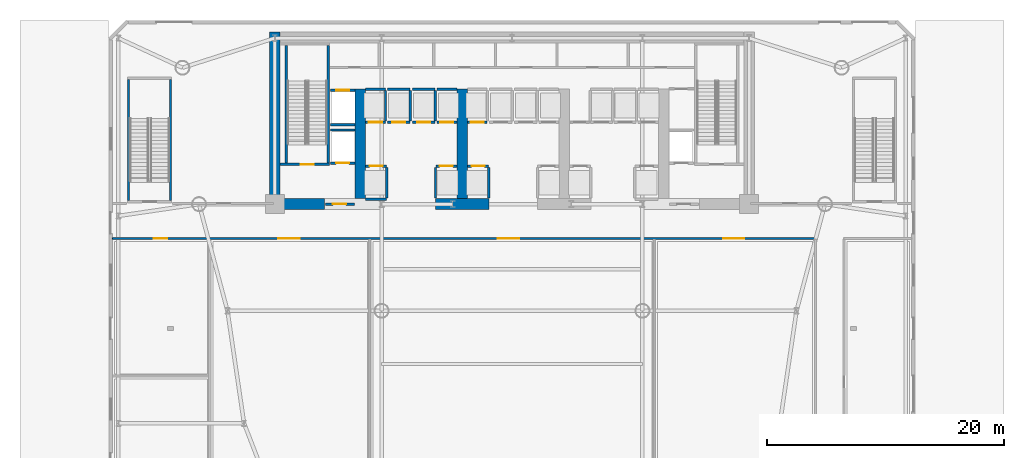
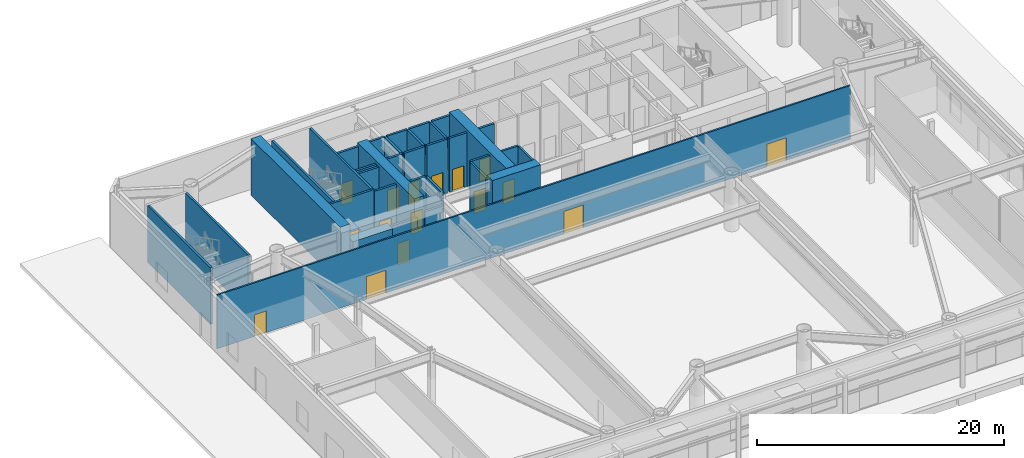
# One storey, part 8 of 20: 35 walls, 16 doors, 16 openings.
"""IFC4 building model written with IfcOpenShell, lengths in metres."""

from ifc_helpers import new_model, si_unit, direction, frame, frame_2d, origin, place, context, subcontext, project, spatial, rectangle, extrude, source, transform, mapped, material, layer, layer_set, type_object, element, fill, save


model = new_model("IFC4")

# Units and contexts
model_context = context("Model", 3, precision=1e-05, world=origin(), true_north=direction((0.0, 1.0)))
body_context = subcontext(model_context, "Body", "Model", "MODEL_VIEW")
ifc_project = project(units=[si_unit("LENGTHUNIT", "METRE"), si_unit("AREAUNIT", "SQUARE_METRE"), si_unit("VOLUMEUNIT", "CUBIC_METRE"), si_unit("PLANEANGLEUNIT", "RADIAN"), si_unit("MASSUNIT", "GRAM", prefix="KILO")], contexts=[model_context])

# Site, building, storey
site_placement = place(None, origin())
site = spatial("IfcSite", under=ifc_project, at=site_placement, CompositionType="ELEMENT")
building_placement = place(site_placement, origin())
building = spatial("IfcBuilding", under=site, at=building_placement, Name="Vaeldorn Concourse Tower", CompositionType="ELEMENT")
storey_placement = place(building_placement, origin())
storey = spatial("IfcBuildingStorey", under=building, at=storey_placement, Name="L00", CompositionType="ELEMENT", Elevation=0.0)

# Walls
ifc_material_1 = material(Name="Concrete C60/75", Category="concrete")
ifc_layer_1 = layer(ifc_material_1, 0.89990234375)
ifc_layer_set_1 = layer_set([ifc_layer_1], Name="Concrete C60/75")
wall_type_1 = type_object("IfcWallType", Name="WL-CORE-900", PredefinedType="SHEAR", material=ifc_layer_set_1)
wall_1_placement = place(storey_placement, frame((14.0, 36.5, 0.0), z_axis=(0.0, 0.0, 1.0), x_axis=(0.0, 1.0, 0.0)))
element("IfcWall", 1, at=wall_1_placement, inside=storey, type_object=wall_type_1, Name="Rear Core Shear Wall L00 W1", PredefinedType="SHEAR", context=body_context, shape_type="SweptSolid", body=[
    extrude(rectangle(XDim=14.5, YDim=0.89990234375, at=frame_2d((7.25, 0.0))), origin(), (0.0, 0.0, 1.0), 5.60009765625),
])
wall_2_placement = place(storey_placement, frame((14.469970703125, 36.5, 0.0), z_axis=(0.0, 0.0, 1.0), x_axis=(1.0, 0.0, 0.0)))
element("IfcWall", 2, at=wall_2_placement, inside=storey, type_object=wall_type_1, Name="Rear Core Shear Wall L00 S1", PredefinedType="SHEAR", context=body_context, shape_type="SweptSolid", body=[
    extrude(rectangle(XDim=3.72998046875, YDim=0.89990234375, at=frame_2d((1.864990234375, 0.0))), origin(), (0.0, 0.0, 1.0), 4.1201171875),
])
wall_3_placement = place(storey_placement, frame((27.550048828125, 36.5, 0.0), z_axis=(0.0, 0.0, 1.0), x_axis=(1.0, 0.0, 0.0)))
element("IfcWall", 3, at=wall_3_placement, inside=storey, type_object=wall_type_1, Name="Rear Core Shear Wall L00 S2", PredefinedType="SHEAR", context=body_context, shape_type="SweptSolid", body=[
    extrude(rectangle(XDim=4.5, YDim=0.89990234375, at=frame_2d((2.25, 0.0))), origin(), (0.0, 0.0, 1.0), 5.60009765625),
])
for number, where, z_axis, x_axis, name in (
    (4, (21.199951171875, 36.969970703125, 0.0), (0.0, 0.0, 1.0), (0.0, 1.0, 0.0), "Rear Core Shear Wall L00 M1"),
    (5, (29.800048828125, 36.969970703125, 0.0), (0.0, 0.0, 1.0), (0.0, 1.0, 0.0), "Rear Core Shear Wall L00 M2"),
):
    element("IfcWall", number, at=place(storey_placement, frame(where, z_axis=z_axis, x_axis=x_axis)), inside=storey, type_object=wall_type_1, Name=name, PredefinedType="SHEAR", context=body_context, shape_type="SweptSolid", body=[
        extrude(rectangle(XDim=9.22998046875, YDim=0.89990234375, at=frame_2d((4.614990234375, 0.0))), origin(), (0.0, 0.0, 1.0), 5.60009765625),
    ])

# Wall, openings, doors
ifc_material_2 = material(Name="Gypsum Board Partition", Category="gypsum")
ifc_layer_2 = layer(ifc_material_2, 0.14990234375)
ifc_layer_set_2 = layer_set([ifc_layer_2], Name="Gypsum Board Partition")
wall_type_2 = type_object("IfcWallType", Name="WL-PART-150", PredefinedType="PARTITIONING", material=ifc_layer_set_2)
wall_4_placement = place(storey_placement, frame((0.300048828125, 33.60009765625, 0.0), z_axis=(0.0, 0.0, 1.0), x_axis=(1.0, 0.0, 0.0)))
wall_4 = element("IfcWall", 6, at=wall_4_placement, inside=storey, type_object=wall_type_2, Name="Interior Wall PW-L00-COR", PredefinedType="PARTITIONING", context=body_context, shape_type="SweptSolid", body=[
    extrude(rectangle(XDim=59.300048828125, YDim=0.14990234375, at=frame_2d((29.64990234375, 0.0))), origin(), (0.0, 0.0, 1.0), 5.320068359375),
])
opening_1_placement = place(wall_4_placement, frame((3.5, 0.0, 0.0)))
opening_1 = element("IfcOpeningElement", 7, at=opening_1_placement, cuts=wall_4, Name="Opening D-01", PredefinedType="OPENING", context=body_context, shape_type="SweptSolid", body=[
    extrude(rectangle(XDim=1.10009765625, YDim=2.14990234375, at=frame_2d((0.550048828125, 1.074951171875))), frame((0.0, 0.0849609375, 0.0), z_axis=(0.0, -1.0, 0.0), x_axis=(1.0, 0.0, 0.0)), (0.0, 0.0, 1.0), 0.169921875),
])
opening_2_placement = place(wall_4_placement, frame((14.0, 0.0, 0.0)))
opening_2 = element("IfcOpeningElement", 8, at=opening_2_placement, cuts=wall_4, Name="Opening D-05", PredefinedType="OPENING", context=body_context, shape_type="SweptSolid", body=[
    extrude(rectangle(XDim=1.800048828125, YDim=2.25, at=frame_2d((0.89990234375, 1.125))), frame((0.0, 0.0849609375, 0.0), z_axis=(0.0, -1.0, 0.0), x_axis=(1.0, 0.0, 0.0)), (0.0, 0.0, 1.0), 0.169921875),
])
opening_3_placement = place(wall_4_placement, frame((32.5, 0.0, 0.0)))
opening_3 = element("IfcOpeningElement", 9, at=opening_3_placement, cuts=wall_4, Name="Opening D-05", PredefinedType="OPENING", context=body_context, shape_type="SweptSolid", body=[
    extrude(rectangle(XDim=1.800048828125, YDim=2.25, at=frame_2d((0.89990234375, 1.125))), frame((0.0, 0.0849609375, 0.0), z_axis=(0.0, -1.0, 0.0), x_axis=(1.0, 0.0, 0.0)), (0.0, 0.0, 1.0), 0.169921875),
])
opening_4_placement = place(wall_4_placement, frame((51.5, 0.0, 0.0)))
opening_4 = element("IfcOpeningElement", 10, at=opening_4_placement, cuts=wall_4, Name="Opening D-05", PredefinedType="OPENING", context=body_context, shape_type="SweptSolid", body=[
    extrude(rectangle(XDim=1.800048828125, YDim=2.25, at=frame_2d((0.89990234375, 1.125))), frame((0.0, 0.0849609375, 0.0), z_axis=(0.0, -1.0, 0.0), x_axis=(1.0, 0.0, 0.0)), (0.0, 0.0, 1.0), 0.169921875),
])
ifc_material_3 = material(Name="Fire-Rated Timber and Steel Leaf", Category="steel")
door_type_1 = type_object("IfcDoorType", Name="DR-FD60-1100", OperationType="NOTDEFINED", PredefinedType="DOOR", material=ifc_material_3)
shared_shape_1 = source(origin(), body_context, "Body", "SweptSolid", [
    extrude(rectangle(XDim=1.10009765625, YDim=2.14990234375, at=frame_2d((0.550048828125, 1.074951171875))), frame((0.0, 0.02490234375, 0.0), z_axis=(0.0, -1.0, 0.0), x_axis=(1.0, 0.0, 0.0)), (0.0, 0.0, 1.0), 0.050048828125),
])
door_1_placement = place(opening_1_placement, origin())
door_1 = element("IfcDoor", 11, at=door_1_placement, inside=storey, type_object=door_type_1, Name="Interior Door DR-L00-FCC", OperationType="SINGLE_SWING_LEFT", OverallHeight=2.14990234375, OverallWidth=1.10009765625, PredefinedType="DOOR", context=body_context, shape_type="MappedRepresentation", body=[
    mapped(shared_shape_1, transform((0.0, 0.0, 0.0), scale=1.0)),
])
fill(opening_1, door_1)
ifc_material_4 = material(Name="Acoustic Bronze-Framed Glass Door", Category="glass")
door_type_2 = type_object("IfcDoorType", Name="DR-DBL-1800", OperationType="DOUBLE_DOOR_SINGLE_SWING", PredefinedType="DOOR", material=ifc_material_4)
shared_shape_2 = source(origin(), body_context, "Body", "SweptSolid", [
    extrude(rectangle(XDim=1.800048828125, YDim=2.25, at=frame_2d((0.89990234375, 1.125))), frame((0.0, 0.02490234375, 0.0), z_axis=(0.0, -1.0, 0.0), x_axis=(1.0, 0.0, 0.0)), (0.0, 0.0, 1.0), 0.050048828125),
])
door_2_placement = place(opening_2_placement, origin())
door_2 = element("IfcDoor", 12, at=door_2_placement, inside=storey, type_object=door_type_2, Name="Interior Door DR-L00-TKT", OperationType="DOUBLE_DOOR_SINGLE_SWING", OverallHeight=2.25, OverallWidth=1.800048828125, PredefinedType="DOOR", context=body_context, shape_type="MappedRepresentation", body=[
    mapped(shared_shape_2, transform((0.0, 0.0, 0.0), scale=1.0)),
])
fill(opening_2, door_2)
door_3_placement = place(opening_3_placement, origin())
door_3 = element("IfcDoor", 13, at=door_3_placement, inside=storey, type_object=door_type_2, Name="Interior Door DR-L00-CONC", OperationType="DOUBLE_DOOR_SINGLE_SWING", OverallHeight=2.25, OverallWidth=1.800048828125, PredefinedType="DOOR", context=body_context, shape_type="MappedRepresentation", body=[
    mapped(shared_shape_2, transform((0.0, 0.0, 0.0), scale=1.0)),
])
fill(opening_3, door_3)
door_4_placement = place(opening_4_placement, origin())
door_4 = element("IfcDoor", 14, at=door_4_placement, inside=storey, type_object=door_type_2, Name="Interior Door DR-L00-LOB", OperationType="DOUBLE_DOOR_SINGLE_SWING", OverallHeight=2.25, OverallWidth=1.800048828125, PredefinedType="DOOR", context=body_context, shape_type="MappedRepresentation", body=[
    mapped(shared_shape_2, transform((0.0, 0.0, 0.0), scale=1.0)),
])
fill(opening_4, door_4)

# Wall, opening, door
ifc_material_5 = material(Name="Concrete C50/60", Category="concrete")
ifc_layer_3 = layer(ifc_material_5, 0.199951171875)
ifc_layer_set_3 = layer_set([ifc_layer_3], Name="Concrete C50/60")
wall_type_3 = type_object("IfcWallType", Name="WL-SHAFT-200", PredefinedType="SOLIDWALL", material=ifc_layer_set_3)
wall_5_placement = place(storey_placement, frame((14.449951171875, 39.85009765625, 0.0), z_axis=(0.0, 0.0, 1.0), x_axis=(1.0, 0.0, 0.0)))
wall_5 = element("IfcWall", 15, at=wall_5_placement, inside=storey, type_object=wall_type_3, Name="Stair Shaft Wall CW-L00-ST-1-S", PredefinedType="SOLIDWALL", context=body_context, shape_type="SweptSolid", body=[
    extrude(rectangle(XDim=4.150146484375, YDim=0.199951171875, at=frame_2d((2.0751953125, 0.0))), origin(), (0.0, 0.0, 1.0), 5.60009765625),
])
opening_5_placement = place(wall_5_placement, frame((1.72509765625, 0.0, 0.0)))
opening_5 = element("IfcOpeningElement", 16, at=opening_5_placement, cuts=wall_5, Name="Opening D-01", PredefinedType="OPENING", context=body_context, shape_type="SweptSolid", body=[
    extrude(rectangle(XDim=1.10009765625, YDim=2.14990234375, at=frame_2d((0.550048828125, 1.074951171875))), frame((0.0, 0.10986328125, 0.0), z_axis=(0.0, -1.0, 0.0), x_axis=(1.0, 0.0, 0.0)), (0.0, 0.0, 1.0), 0.219970703125),
])
door_5_placement = place(opening_5_placement, origin())
door_5 = element("IfcDoor", 17, at=door_5_placement, inside=storey, type_object=door_type_1, Name="Interior Door DR-L00-ST-1", OperationType="SINGLE_SWING_LEFT", OverallHeight=2.14990234375, OverallWidth=1.10009765625, PredefinedType="DOOR", context=body_context, shape_type="MappedRepresentation", body=[
    mapped(shared_shape_1, transform((0.0, 0.0, 0.0), scale=1.0)),
])
fill(opening_5, door_5)

# Walls
for number, where, z_axis, x_axis, name in (
    (18, (14.949951171875, 39.9599609375, 0.0), (0.0, 0.0, 1.0), (0.0, 1.0, 0.0), "Stair Shaft Wall CW-L00-ST-1-W"),
    (19, (18.5, 39.9599609375, 0.0), (0.0, 0.0, 1.0), (0.0, 1.0, 0.0), "Stair Shaft Wall CW-L00-ST-1-E"),
):
    element("IfcWall", number, at=place(storey_placement, frame(where, z_axis=z_axis, x_axis=x_axis)), inside=storey, type_object=wall_type_3, Name=name, PredefinedType="SOLIDWALL", context=body_context, shape_type="SweptSolid", body=[
        extrude(rectangle(XDim=9.929931640625, YDim=0.199951171875, at=frame_2d((4.96484375, 0.0))), origin(), (0.0, 0.0, 1.0), 5.60009765625),
    ])

# Wall, opening, door
wall_6_placement = place(storey_placement, frame((18.25, 36.5, 0.0), z_axis=(0.0, 0.0, 1.0), x_axis=(1.0, 0.0, 0.0)))
wall_6 = element("IfcWall", 20, at=wall_6_placement, inside=storey, type_object=wall_type_3, Name="Interior Wall CW-L00-FF1S", PredefinedType="SOLIDWALL", context=body_context, shape_type="SweptSolid", body=[
    extrude(rectangle(XDim=2.469970703125, YDim=0.199951171875, at=frame_2d((1.23486328125, 0.0))), origin(), (0.0, 0.0, 1.0), 4.110107421875),
])
opening_6_placement = place(wall_6_placement, frame((0.64990234375, 0.0, 0.0)))
opening_6 = element("IfcOpeningElement", 21, at=opening_6_placement, cuts=wall_6, Name="Opening D-01", PredefinedType="OPENING", context=body_context, shape_type="SweptSolid", body=[
    extrude(rectangle(XDim=1.10009765625, YDim=2.14990234375, at=frame_2d((0.550048828125, 1.074951171875))), frame((0.0, 0.10986328125, 0.0), z_axis=(0.0, -1.0, 0.0), x_axis=(1.0, 0.0, 0.0)), (0.0, 0.0, 1.0), 0.219970703125),
])
door_6_placement = place(opening_6_placement, origin())
door_6 = element("IfcDoor", 22, at=door_6_placement, inside=storey, type_object=door_type_1, Name="Interior Door DR-L00-FF1E", OperationType="SINGLE_SWING_RIGHT", OverallHeight=2.14990234375, OverallWidth=1.10009765625, PredefinedType="DOOR", context=body_context, shape_type="MappedRepresentation", body=[
    mapped(shared_shape_1, transform((0.0, 0.0, 0.0), scale=1.0)),
])
fill(opening_6, door_6)

wall_7_placement = place(storey_placement, frame((21.659912109375, 39.699951171875, 0.0), z_axis=(0.0, 0.0, 1.0), x_axis=(1.0, 0.0, 0.0)))
wall_7 = element("IfcWall", 23, at=wall_7_placement, inside=storey, type_object=wall_type_3, Name="Interior Wall CW-L00-LF-LF-01", PredefinedType="SOLIDWALL", context=body_context, shape_type="SweptSolid", body=[
    extrude(rectangle(XDim=1.77001953125, YDim=0.199951171875, at=frame_2d((0.885009765625, 0.0))), origin(), (0.0, 0.0, 1.0), 5.320068359375),
])
opening_7_placement = place(wall_7_placement, frame((0.3349609375, 0.0, 0.0)))
opening_7 = element("IfcOpeningElement", 24, at=opening_7_placement, cuts=wall_7, Name="Opening LD-1", PredefinedType="OPENING", context=body_context, shape_type="SweptSolid", body=[
    extrude(rectangle(XDim=1.10009765625, YDim=2.14990234375, at=frame_2d((0.550048828125, 1.074951171875))), frame((0.0, 0.10986328125, 0.0), z_axis=(0.0, -1.0, 0.0), x_axis=(1.0, 0.0, 0.0)), (0.0, 0.0, 1.0), 0.219970703125),
])
ifc_material_6 = material(Name="Anodised Bronze Aluminium", Category="aluminium")
door_type_3 = type_object("IfcDoorType", Name="DR-LIFT-SLIDE-1100", OperationType="DOUBLE_DOOR_SLIDING", PredefinedType="DOOR", material=ifc_material_6)
door_7_placement = place(opening_7_placement, origin())
door_7 = element("IfcDoor", 25, at=door_7_placement, inside=storey, type_object=door_type_3, Name="Lift Landing Door LD-L00-LF-01", OperationType="DOUBLE_DOOR_SLIDING", OverallHeight=2.14990234375, OverallWidth=1.10009765625, PredefinedType="DOOR", context=body_context, shape_type="MappedRepresentation", body=[
    mapped(shared_shape_1, transform((0.0, 0.0, 0.0), scale=1.0)),
])
fill(opening_7, door_7)

# Walls
wall_8_placement = place(storey_placement, frame((21.659912109375, 36.89990234375, 0.0), z_axis=(0.0, 0.0, 1.0), x_axis=(1.0, 0.0, 0.0)))
element("IfcWall", 26, at=wall_8_placement, inside=storey, type_object=wall_type_3, Name="Interior Wall CW-L00-LFB-LF-01", PredefinedType="SOLIDWALL", context=body_context, shape_type="SweptSolid", body=[
    extrude(rectangle(XDim=1.77001953125, YDim=0.199951171875, at=frame_2d((0.885009765625, 0.0))), origin(), (0.0, 0.0, 1.0), 4.110107421875),
])
wall_9_placement = place(storey_placement, frame((23.449951171875, 37.02001953125, 0.0), z_axis=(0.0, 0.0, 1.0), x_axis=(0.0, 1.0, 0.0)))
element("IfcWall", 27, at=wall_9_placement, inside=storey, type_object=wall_type_3, Name="Interior Wall CW-L00-LFE-LF-01", PredefinedType="SOLIDWALL", context=body_context, shape_type="SweptSolid", body=[
    extrude(rectangle(XDim=2.56005859375, YDim=0.199951171875, at=frame_2d((1.280029296875, 0.0))), origin(), (0.0, 0.0, 1.0), 5.320068359375),
])

# Wall, opening, door
wall_10_placement = place(storey_placement, frame((27.570068359375, 39.699951171875, 0.0), z_axis=(0.0, 0.0, 1.0), x_axis=(1.0, 0.0, 0.0)))
wall_10 = element("IfcWall", 28, at=wall_10_placement, inside=storey, type_object=wall_type_3, Name="Interior Wall CW-L00-LF-LF-02", PredefinedType="SOLIDWALL", context=body_context, shape_type="SweptSolid", body=[
    extrude(rectangle(XDim=1.77001953125, YDim=0.199951171875, at=frame_2d((0.885009765625, 0.0))), origin(), (0.0, 0.0, 1.0), 5.320068359375),
])
opening_8_placement = place(wall_10_placement, frame((0.3349609375, 0.0, 0.0)))
opening_8 = element("IfcOpeningElement", 29, at=opening_8_placement, cuts=wall_10, Name="Opening LD-1", PredefinedType="OPENING", context=body_context, shape_type="SweptSolid", body=[
    extrude(rectangle(XDim=1.10009765625, YDim=2.14990234375, at=frame_2d((0.550048828125, 1.074951171875))), frame((0.0, 0.10986328125, 0.0), z_axis=(0.0, -1.0, 0.0), x_axis=(1.0, 0.0, 0.0)), (0.0, 0.0, 1.0), 0.219970703125),
])
door_8_placement = place(opening_8_placement, origin())
door_8 = element("IfcDoor", 30, at=door_8_placement, inside=storey, type_object=door_type_3, Name="Lift Landing Door LD-L00-LF-02", OperationType="DOUBLE_DOOR_SLIDING", OverallHeight=2.14990234375, OverallWidth=1.10009765625, PredefinedType="DOOR", context=body_context, shape_type="MappedRepresentation", body=[
    mapped(shared_shape_1, transform((0.0, 0.0, 0.0), scale=1.0)),
])
fill(opening_8, door_8)

# Wall
wall_11_placement = place(storey_placement, frame((27.550048828125, 37.02001953125, 0.0), z_axis=(0.0, 0.0, 1.0), x_axis=(0.0, 1.0, 0.0)))
element("IfcWall", 31, at=wall_11_placement, inside=storey, type_object=wall_type_3, Name="Interior Wall CW-L00-LFW-LF-02", PredefinedType="SOLIDWALL", context=body_context, shape_type="SweptSolid", body=[
    extrude(rectangle(XDim=2.56005859375, YDim=0.199951171875, at=frame_2d((1.280029296875, 0.0))), origin(), (0.0, 0.0, 1.0), 5.320068359375),
])

# Wall, opening, door
wall_12_placement = place(storey_placement, frame((21.659912109375, 43.39990234375, 0.0), z_axis=(0.0, 0.0, 1.0), x_axis=(1.0, 0.0, 0.0)))
wall_12 = element("IfcWall", 32, at=wall_12_placement, inside=storey, type_object=wall_type_3, Name="Interior Wall CW-L00-LF-LF-03", PredefinedType="SOLIDWALL", context=body_context, shape_type="SweptSolid", body=[
    extrude(rectangle(XDim=1.650146484375, YDim=0.199951171875, at=frame_2d((0.8251953125, 0.0))), origin(), (0.0, 0.0, 1.0), 5.320068359375),
])
opening_9_placement = place(wall_12_placement, frame((0.27490234375, 0.0, 0.0)))
opening_9 = element("IfcOpeningElement", 33, at=opening_9_placement, cuts=wall_12, Name="Opening LD-1", PredefinedType="OPENING", context=body_context, shape_type="SweptSolid", body=[
    extrude(rectangle(XDim=1.10009765625, YDim=2.14990234375, at=frame_2d((0.550048828125, 1.074951171875))), frame((0.0, 0.10986328125, 0.0), z_axis=(0.0, -1.0, 0.0), x_axis=(1.0, 0.0, 0.0)), (0.0, 0.0, 1.0), 0.219970703125),
])
door_9_placement = place(opening_9_placement, origin())
door_9 = element("IfcDoor", 34, at=door_9_placement, inside=storey, type_object=door_type_3, Name="Lift Landing Door LD-L00-LF-03", OperationType="DOUBLE_DOOR_SLIDING", OverallHeight=2.14990234375, OverallWidth=1.10009765625, PredefinedType="DOOR", context=body_context, shape_type="MappedRepresentation", body=[
    mapped(shared_shape_1, transform((0.0, 0.0, 0.0), scale=1.0)),
])
fill(opening_9, door_9)

# Walls
wall_13_placement = place(storey_placement, frame((21.659912109375, 46.199951171875, 0.0), z_axis=(0.0, 0.0, 1.0), x_axis=(1.0, 0.0, 0.0)))
element("IfcWall", 35, at=wall_13_placement, inside=storey, type_object=wall_type_3, Name="Interior Wall CW-L00-LFB-LF-03", PredefinedType="SOLIDWALL", context=body_context, shape_type="SweptSolid", body=[
    extrude(rectangle(XDim=1.650146484375, YDim=0.199951171875, at=frame_2d((0.8251953125, 0.0))), origin(), (0.0, 0.0, 1.0), 5.320068359375),
])
wall_14_placement = place(storey_placement, frame((23.330078125, 43.52001953125, 0.0), z_axis=(0.0, 0.0, 1.0), x_axis=(0.0, 1.0, 0.0)))
element("IfcWall", 36, at=wall_14_placement, inside=storey, type_object=wall_type_3, Name="Interior Wall CW-L00-LFE-LF-03", PredefinedType="SOLIDWALL", context=body_context, shape_type="SweptSolid", body=[
    extrude(rectangle(XDim=2.56005859375, YDim=0.199951171875, at=frame_2d((1.280029296875, 0.0))), origin(), (0.0, 0.0, 1.0), 5.320068359375),
])

# Wall, opening, door
wall_15_placement = place(storey_placement, frame((23.489990234375, 43.39990234375, 0.0), z_axis=(0.0, 0.0, 1.0), x_axis=(1.0, 0.0, 0.0)))
wall_15 = element("IfcWall", 37, at=wall_15_placement, inside=storey, type_object=wall_type_3, Name="Interior Wall CW-L00-LF-LF-04", PredefinedType="SOLIDWALL", context=body_context, shape_type="SweptSolid", body=[
    extrude(rectangle(XDim=1.919921875, YDim=0.199951171875, at=frame_2d((0.9599609375, 0.0))), origin(), (0.0, 0.0, 1.0), 5.320068359375),
])
opening_10_placement = place(wall_15_placement, frame((0.409912109375, 0.0, 0.0)))
opening_10 = element("IfcOpeningElement", 38, at=opening_10_placement, cuts=wall_15, Name="Opening LD-1", PredefinedType="OPENING", context=body_context, shape_type="SweptSolid", body=[
    extrude(rectangle(XDim=1.10009765625, YDim=2.14990234375, at=frame_2d((0.550048828125, 1.074951171875))), frame((0.0, 0.10986328125, 0.0), z_axis=(0.0, -1.0, 0.0), x_axis=(1.0, 0.0, 0.0)), (0.0, 0.0, 1.0), 0.219970703125),
])
door_10_placement = place(opening_10_placement, origin())
door_10 = element("IfcDoor", 39, at=door_10_placement, inside=storey, type_object=door_type_3, Name="Lift Landing Door LD-L00-LF-04", OperationType="DOUBLE_DOOR_SLIDING", OverallHeight=2.14990234375, OverallWidth=1.10009765625, PredefinedType="DOOR", context=body_context, shape_type="MappedRepresentation", body=[
    mapped(shared_shape_1, transform((0.0, 0.0, 0.0), scale=1.0)),
])
fill(opening_10, door_10)

# Walls
wall_16_placement = place(storey_placement, frame((23.489990234375, 46.199951171875, 0.0), z_axis=(0.0, 0.0, 1.0), x_axis=(1.0, 0.0, 0.0)))
element("IfcWall", 40, at=wall_16_placement, inside=storey, type_object=wall_type_3, Name="Interior Wall CW-L00-LFB-LF-04", PredefinedType="SOLIDWALL", context=body_context, shape_type="SweptSolid", body=[
    extrude(rectangle(XDim=1.919921875, YDim=0.199951171875, at=frame_2d((0.9599609375, 0.0))), origin(), (0.0, 0.0, 1.0), 5.320068359375),
])
wall_17_placement = place(storey_placement, frame((25.429931640625, 43.52001953125, 0.0), z_axis=(0.0, 0.0, 1.0), x_axis=(0.0, 1.0, 0.0)))
element("IfcWall", 41, at=wall_17_placement, inside=storey, type_object=wall_type_3, Name="Interior Wall CW-L00-LFE-LF-04", PredefinedType="SOLIDWALL", context=body_context, shape_type="SweptSolid", body=[
    extrude(rectangle(XDim=2.56005859375, YDim=0.199951171875, at=frame_2d((1.280029296875, 0.0))), origin(), (0.0, 0.0, 1.0), 5.320068359375),
])

# Wall, opening, door
wall_18_placement = place(storey_placement, frame((25.590087890625, 43.39990234375, 0.0), z_axis=(0.0, 0.0, 1.0), x_axis=(1.0, 0.0, 0.0)))
wall_18 = element("IfcWall", 42, at=wall_18_placement, inside=storey, type_object=wall_type_3, Name="Interior Wall CW-L00-LF-LF-05", PredefinedType="SOLIDWALL", context=body_context, shape_type="SweptSolid", body=[
    extrude(rectangle(XDim=1.919921875, YDim=0.199951171875, at=frame_2d((0.9599609375, 0.0))), origin(), (0.0, 0.0, 1.0), 5.320068359375),
])
opening_11_placement = place(wall_18_placement, frame((0.409912109375, 0.0, 0.0)))
opening_11 = element("IfcOpeningElement", 43, at=opening_11_placement, cuts=wall_18, Name="Opening LD-1", PredefinedType="OPENING", context=body_context, shape_type="SweptSolid", body=[
    extrude(rectangle(XDim=1.10009765625, YDim=2.14990234375, at=frame_2d((0.550048828125, 1.074951171875))), frame((0.0, 0.10986328125, 0.0), z_axis=(0.0, -1.0, 0.0), x_axis=(1.0, 0.0, 0.0)), (0.0, 0.0, 1.0), 0.219970703125),
])
door_11_placement = place(opening_11_placement, origin())
door_11 = element("IfcDoor", 44, at=door_11_placement, inside=storey, type_object=door_type_3, Name="Lift Landing Door LD-L00-LF-05", OperationType="DOUBLE_DOOR_SLIDING", OverallHeight=2.14990234375, OverallWidth=1.10009765625, PredefinedType="DOOR", context=body_context, shape_type="MappedRepresentation", body=[
    mapped(shared_shape_1, transform((0.0, 0.0, 0.0), scale=1.0)),
])
fill(opening_11, door_11)

# Walls
wall_19_placement = place(storey_placement, frame((25.590087890625, 46.199951171875, 0.0), z_axis=(0.0, 0.0, 1.0), x_axis=(1.0, 0.0, 0.0)))
element("IfcWall", 45, at=wall_19_placement, inside=storey, type_object=wall_type_3, Name="Interior Wall CW-L00-LFB-LF-05", PredefinedType="SOLIDWALL", context=body_context, shape_type="SweptSolid", body=[
    extrude(rectangle(XDim=1.919921875, YDim=0.199951171875, at=frame_2d((0.9599609375, 0.0))), origin(), (0.0, 0.0, 1.0), 5.320068359375),
])
wall_20_placement = place(storey_placement, frame((27.530029296875, 43.52001953125, 0.0), z_axis=(0.0, 0.0, 1.0), x_axis=(0.0, 1.0, 0.0)))
element("IfcWall", 46, at=wall_20_placement, inside=storey, type_object=wall_type_3, Name="Interior Wall CW-L00-LFE-LF-05", PredefinedType="SOLIDWALL", context=body_context, shape_type="SweptSolid", body=[
    extrude(rectangle(XDim=2.56005859375, YDim=0.199951171875, at=frame_2d((1.280029296875, 0.0))), origin(), (0.0, 0.0, 1.0), 5.320068359375),
])

# Wall, opening, door
wall_21_placement = place(storey_placement, frame((27.68994140625, 43.39990234375, 0.0), z_axis=(0.0, 0.0, 1.0), x_axis=(1.0, 0.0, 0.0)))
wall_21 = element("IfcWall", 47, at=wall_21_placement, inside=storey, type_object=wall_type_3, Name="Interior Wall CW-L00-LF-LF-06", PredefinedType="SOLIDWALL", context=body_context, shape_type="SweptSolid", body=[
    extrude(rectangle(XDim=1.650146484375, YDim=0.199951171875, at=frame_2d((0.8251953125, 0.0))), origin(), (0.0, 0.0, 1.0), 5.320068359375),
])
opening_12_placement = place(wall_21_placement, frame((0.27490234375, 0.0, 0.0)))
opening_12 = element("IfcOpeningElement", 48, at=opening_12_placement, cuts=wall_21, Name="Opening LD-1", PredefinedType="OPENING", context=body_context, shape_type="SweptSolid", body=[
    extrude(rectangle(XDim=1.10009765625, YDim=2.14990234375, at=frame_2d((0.550048828125, 1.074951171875))), frame((0.0, 0.10986328125, 0.0), z_axis=(0.0, -1.0, 0.0), x_axis=(1.0, 0.0, 0.0)), (0.0, 0.0, 1.0), 0.219970703125),
])
door_12_placement = place(opening_12_placement, origin())
door_12 = element("IfcDoor", 49, at=door_12_placement, inside=storey, type_object=door_type_3, Name="Lift Landing Door LD-L00-LF-06", OperationType="DOUBLE_DOOR_SLIDING", OverallHeight=2.14990234375, OverallWidth=1.10009765625, PredefinedType="DOOR", context=body_context, shape_type="MappedRepresentation", body=[
    mapped(shared_shape_1, transform((0.0, 0.0, 0.0), scale=1.0)),
])
fill(opening_12, door_12)

# Wall
wall_22_placement = place(storey_placement, frame((27.68994140625, 46.199951171875, 0.0), z_axis=(0.0, 0.0, 1.0), x_axis=(1.0, 0.0, 0.0)))
element("IfcWall", 50, at=wall_22_placement, inside=storey, type_object=wall_type_3, Name="Interior Wall CW-L00-LFB-LF-06", PredefinedType="SOLIDWALL", context=body_context, shape_type="SweptSolid", body=[
    extrude(rectangle(XDim=1.650146484375, YDim=0.199951171875, at=frame_2d((0.8251953125, 0.0))), origin(), (0.0, 0.0, 1.0), 5.320068359375),
])

# Wall, opening, door
wall_23_placement = place(storey_placement, frame((30.260009765625, 39.699951171875, 0.0), z_axis=(0.0, 0.0, 1.0), x_axis=(1.0, 0.0, 0.0)))
wall_23 = element("IfcWall", 51, at=wall_23_placement, inside=storey, type_object=wall_type_3, Name="Interior Wall CW-L00-LF-LF-07", PredefinedType="SOLIDWALL", context=body_context, shape_type="SweptSolid", body=[
    extrude(rectangle(XDim=1.77001953125, YDim=0.199951171875, at=frame_2d((0.885009765625, 0.0))), origin(), (0.0, 0.0, 1.0), 5.320068359375),
])
opening_13_placement = place(wall_23_placement, frame((0.3349609375, 0.0, 0.0)))
opening_13 = element("IfcOpeningElement", 52, at=opening_13_placement, cuts=wall_23, Name="Opening LD-1", PredefinedType="OPENING", context=body_context, shape_type="SweptSolid", body=[
    extrude(rectangle(XDim=1.10009765625, YDim=2.14990234375, at=frame_2d((0.550048828125, 1.074951171875))), frame((0.0, 0.10986328125, 0.0), z_axis=(0.0, -1.0, 0.0), x_axis=(1.0, 0.0, 0.0)), (0.0, 0.0, 1.0), 0.219970703125),
])
door_13_placement = place(opening_13_placement, origin())
door_13 = element("IfcDoor", 53, at=door_13_placement, inside=storey, type_object=door_type_3, Name="Lift Landing Door LD-L00-LF-07", OperationType="DOUBLE_DOOR_SLIDING", OverallHeight=2.14990234375, OverallWidth=1.10009765625, PredefinedType="DOOR", context=body_context, shape_type="MappedRepresentation", body=[
    mapped(shared_shape_1, transform((0.0, 0.0, 0.0), scale=1.0)),
])
fill(opening_13, door_13)

# Wall
wall_24_placement = place(storey_placement, frame((32.050048828125, 37.02001953125, 0.0), z_axis=(0.0, 0.0, 1.0), x_axis=(0.0, 1.0, 0.0)))
element("IfcWall", 54, at=wall_24_placement, inside=storey, type_object=wall_type_3, Name="Interior Wall CW-L00-LFE-LF-07", PredefinedType="SOLIDWALL", context=body_context, shape_type="SweptSolid", body=[
    extrude(rectangle(XDim=2.56005859375, YDim=0.199951171875, at=frame_2d((1.280029296875, 0.0))), origin(), (0.0, 0.0, 1.0), 5.320068359375),
])

# Wall, opening, door
wall_25_placement = place(storey_placement, frame((30.260009765625, 43.39990234375, 0.0), z_axis=(0.0, 0.0, 1.0), x_axis=(1.0, 0.0, 0.0)))
wall_25 = element("IfcWall", 55, at=wall_25_placement, inside=storey, type_object=wall_type_3, Name="Interior Wall CW-L00-LF-LF-09", PredefinedType="SOLIDWALL", context=body_context, shape_type="SweptSolid", body=[
    extrude(rectangle(XDim=1.64990234375, YDim=0.199951171875, at=frame_2d((0.824951171875, 0.0))), origin(), (0.0, 0.0, 1.0), 5.320068359375),
])
opening_14_placement = place(wall_25_placement, frame((0.27490234375, 0.0, 0.0)))
opening_14 = element("IfcOpeningElement", 56, at=opening_14_placement, cuts=wall_25, Name="Opening LD-1", PredefinedType="OPENING", context=body_context, shape_type="SweptSolid", body=[
    extrude(rectangle(XDim=1.10009765625, YDim=2.14990234375, at=frame_2d((0.550048828125, 1.074951171875))), frame((0.0, 0.10986328125, 0.0), z_axis=(0.0, -1.0, 0.0), x_axis=(1.0, 0.0, 0.0)), (0.0, 0.0, 1.0), 0.219970703125),
])
door_14_placement = place(opening_14_placement, origin())
door_14 = element("IfcDoor", 57, at=door_14_placement, inside=storey, type_object=door_type_3, Name="Lift Landing Door LD-L00-LF-09", OperationType="DOUBLE_DOOR_SLIDING", OverallHeight=2.14990234375, OverallWidth=1.10009765625, PredefinedType="DOOR", context=body_context, shape_type="MappedRepresentation", body=[
    mapped(shared_shape_1, transform((0.0, 0.0, 0.0), scale=1.0)),
])
fill(opening_14, door_14)

wall_26_placement = place(storey_placement, frame((18.669921875, 46.10009765625, 0.0), z_axis=(0.0, 0.0, 1.0), x_axis=(1.0, 0.0, 0.0)))
wall_26 = element("IfcWall", 58, at=wall_26_placement, inside=storey, type_object=wall_type_3, Name="Interior Wall CW-L00-LF-LF-SV1", PredefinedType="SOLIDWALL", context=body_context, shape_type="SweptSolid", body=[
    extrude(rectangle(XDim=2.070068359375, YDim=0.199951171875, at=frame_2d((1.03515625, 0.0))), origin(), (0.0, 0.0, 1.0), 5.320068359375),
])
opening_15_placement = place(wall_26_placement, frame((0.485107421875, 0.0, 0.0)))
opening_15 = element("IfcOpeningElement", 59, at=opening_15_placement, cuts=wall_26, Name="Opening LD-1", PredefinedType="OPENING", context=body_context, shape_type="SweptSolid", body=[
    extrude(rectangle(XDim=1.10009765625, YDim=2.14990234375, at=frame_2d((0.550048828125, 1.074951171875))), frame((0.0, 0.10986328125, 0.0), z_axis=(0.0, -1.0, 0.0), x_axis=(1.0, 0.0, 0.0)), (0.0, 0.0, 1.0), 0.219970703125),
])
door_15_placement = place(opening_15_placement, origin())
door_15 = element("IfcDoor", 60, at=door_15_placement, inside=storey, type_object=door_type_3, Name="Lift Landing Door LD-L00-LF-SV1", OperationType="DOUBLE_DOOR_SLIDING", OverallHeight=2.14990234375, OverallWidth=1.10009765625, PredefinedType="DOOR", context=body_context, shape_type="MappedRepresentation", body=[
    mapped(shared_shape_1, transform((0.0, 0.0, 0.0), scale=1.0)),
])
fill(opening_15, door_15)

# Wall
wall_27_placement = place(storey_placement, frame((18.669921875, 43.199951171875, 0.0), z_axis=(0.0, 0.0, 1.0), x_axis=(1.0, 0.0, 0.0)))
element("IfcWall", 61, at=wall_27_placement, inside=storey, type_object=wall_type_3, Name="Interior Wall CW-L00-LFB-LF-SV1", PredefinedType="SOLIDWALL", context=body_context, shape_type="SweptSolid", body=[
    extrude(rectangle(XDim=2.070068359375, YDim=0.199951171875, at=frame_2d((1.03515625, 0.0))), origin(), (0.0, 0.0, 1.0), 5.320068359375),
])

# Wall, opening, door
wall_28_placement = place(storey_placement, frame((18.669921875, 39.949951171875, 0.0), z_axis=(0.0, 0.0, 1.0), x_axis=(1.0, 0.0, 0.0)))
wall_28 = element("IfcWall", 62, at=wall_28_placement, inside=storey, type_object=wall_type_3, Name="Interior Wall CW-L00-LF-LF-FF1", PredefinedType="SOLIDWALL", context=body_context, shape_type="SweptSolid", body=[
    extrude(rectangle(XDim=2.070068359375, YDim=0.199951171875, at=frame_2d((1.03515625, 0.0))), origin(), (0.0, 0.0, 1.0), 5.320068359375),
])
opening_16_placement = place(wall_28_placement, frame((0.485107421875, 0.0, 0.0)))
opening_16 = element("IfcOpeningElement", 63, at=opening_16_placement, cuts=wall_28, Name="Opening LD-1", PredefinedType="OPENING", context=body_context, shape_type="SweptSolid", body=[
    extrude(rectangle(XDim=1.10009765625, YDim=2.14990234375, at=frame_2d((0.550048828125, 1.074951171875))), frame((0.0, 0.10986328125, 0.0), z_axis=(0.0, -1.0, 0.0), x_axis=(1.0, 0.0, 0.0)), (0.0, 0.0, 1.0), 0.219970703125),
])
door_16_placement = place(opening_16_placement, origin())
door_16 = element("IfcDoor", 64, at=door_16_placement, inside=storey, type_object=door_type_3, Name="Lift Landing Door LD-L00-LF-FF1", OperationType="DOUBLE_DOOR_SLIDING", OverallHeight=2.14990234375, OverallWidth=1.10009765625, PredefinedType="DOOR", context=body_context, shape_type="MappedRepresentation", body=[
    mapped(shared_shape_1, transform((0.0, 0.0, 0.0), scale=1.0)),
])
fill(opening_16, door_16)

# Walls
wall_29_placement = place(storey_placement, frame((18.669921875, 42.75, 0.0), z_axis=(0.0, 0.0, 1.0), x_axis=(1.0, 0.0, 0.0)))
element("IfcWall", 65, at=wall_29_placement, inside=storey, type_object=wall_type_3, Name="Interior Wall CW-L00-LFB-LF-FF1", PredefinedType="SOLIDWALL", context=body_context, shape_type="SweptSolid", body=[
    extrude(rectangle(XDim=2.070068359375, YDim=0.199951171875, at=frame_2d((1.03515625, 0.0))), origin(), (0.0, 0.0, 1.0), 5.320068359375),
])
for number, where, z_axis, x_axis, name in (
    (66, (1.64990234375, 36.81005859375, 0.0), (0.0, 0.0, 1.0), (0.0, 1.0, 0.0), "Stair Shaft Wall CW-L00-ST-3-W"),
    (67, (5.199951171875, 36.81005859375, 0.0), (0.0, 0.0, 1.0), (0.0, 1.0, 0.0), "Stair Shaft Wall CW-L00-ST-3-E"),
):
    element("IfcWall", number, at=place(storey_placement, frame(where, z_axis=z_axis, x_axis=x_axis)), inside=storey, type_object=wall_type_3, Name=name, PredefinedType="SOLIDWALL", context=body_context, shape_type="SweptSolid", body=[
        extrude(rectangle(XDim=10.179931640625, YDim=0.199951171875, at=frame_2d((5.08984375, 0.0))), origin(), (0.0, 0.0, 1.0), 5.60009765625),
    ])

save(model, "model.ifc")
